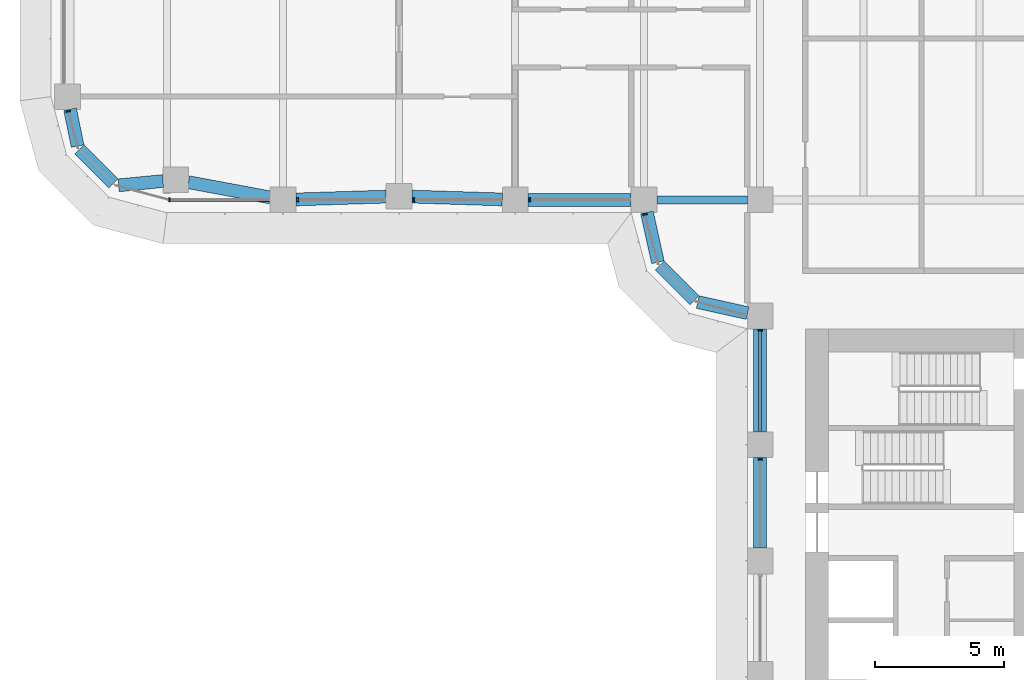
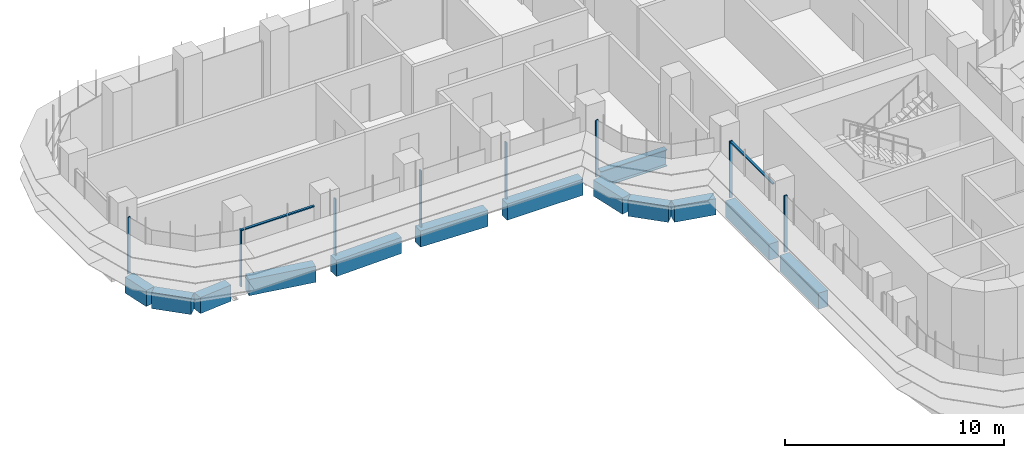
# One storey, part 3 of 23: 13 beams, 10 members, 4 elements without a shape of their own.
"""IFC4 building model written with IfcOpenShell, lengths in metres."""

from ifc_helpers import new_model, si_unit, direction, frame, origin, origin_2d, place, context, subcontext, project, spatial, polyline, rectangle, i_section, outline, extrude, source, transform, mapped, material, material_profile, profile_set, type_object, element, aggregate, save


model = new_model("IFC4")

# Units and contexts
model_context = context("Model", 3, precision=1e-05, world=origin(), true_north=direction((0.0, 1.0)))
body_context = subcontext(model_context, "Body", "Model", "MODEL_VIEW")
ifc_project = project(units=[si_unit("LENGTHUNIT", "METRE"), si_unit("AREAUNIT", "SQUARE_METRE"), si_unit("VOLUMEUNIT", "CUBIC_METRE"), si_unit("PLANEANGLEUNIT", "RADIAN"), si_unit("MASSUNIT", "GRAM", prefix="KILO")], contexts=[model_context])

# Site, building, storey
site_placement = place(None, origin())
site = spatial("IfcSite", under=ifc_project, at=site_placement, CompositionType="ELEMENT")
building_placement = place(site_placement, origin())
building = spatial("IfcBuilding", under=site, at=building_placement, Name="Zarbagh Exchange Tower", CompositionType="ELEMENT")
storey_placement = place(building_placement, frame((0.0, 0.0, 64.800048828125)))
storey = spatial("IfcBuildingStorey", under=building, at=storey_placement, Name="L14", CompositionType="ELEMENT", Elevation=64.800048828125)

# Beams
ifc_material_1 = material(Name="Steel ASTM A992 Gr 50", Category="steel")
ifc_material_profile_1 = material_profile(ifc_material_1, i_section(OverallWidth=0.3046875, OverallDepth=0.91943359375, WebThickness=0.017333984375, FlangeThickness=0.02783203125, at=origin_2d()), Name="W36X170")
ifc_profile_set_1 = profile_set([ifc_material_profile_1], Name="Steel ASTM A992 Gr 50")
beam_type_1 = type_object("IfcBeamType", Name="Floor girder W36X170", PredefinedType="BEAM", material=ifc_profile_set_1)
beam_1_placement = place(storey_placement, frame((-10.25, -6.25, -0.60986328125), z_axis=(1.0, 0.0, 0.0), x_axis=(0.0, 1.0, 0.0)))
element("IfcBeam", 1, at=beam_1_placement, inside=storey, type_object=beam_type_1, Name="Steel girder", PredefinedType="BEAM", context=body_context, shape_type="SweptSolid", body=[
    extrude(i_section(OverallWidth=0.3046875, OverallDepth=0.91943359375, WebThickness=0.017333984375, FlangeThickness=0.02783203125, at=origin_2d()), origin(), (0.0, 0.0, 1.0), 3.5),
])
ifc_material_2 = material(Name="Concrete C60/75", Category="concrete")
ifc_material_profile_2 = material_profile(ifc_material_2, rectangle(XDim=0.5, YDim=0.89990234375, at=origin_2d()), Name="RC spandrel beam 500 x 900 C60/75")
ifc_profile_set_2 = profile_set([ifc_material_profile_2], Name="Concrete C60/75")
beam_type_2 = type_object("IfcBeamType", Name="RC spandrel beam 500 x 900 C60/75", PredefinedType="SPANDREL", material=ifc_profile_set_2)
beam_2_placement = place(storey_placement, frame((-6.25, -19.75, -0.60009765625), z_axis=(0.0, 1.0, 0.0), x_axis=(-1.0, 0.0, 0.0)))
element("IfcBeam", 2, at=beam_2_placement, inside=storey, type_object=beam_type_2, Name="RC spandrel beam", PredefinedType="SPANDREL", context=body_context, shape_type="SweptSolid", body=[
    extrude(rectangle(XDim=0.5, YDim=0.89990234375, at=origin_2d()), origin(), (0.0, 0.0, 1.0), 3.5),
])
beam_3_placement = place(storey_placement, frame((-6.25, -15.25, -0.60009765625), z_axis=(0.0, 1.0, 0.0), x_axis=(-1.0, 0.0, 0.0)))
element("IfcBeam", 3, at=beam_3_placement, inside=storey, type_object=beam_type_2, Name="RC spandrel beam", PredefinedType="SPANDREL", context=body_context, shape_type="SweptSolid", body=[
    extrude(rectangle(XDim=0.5, YDim=0.89990234375, at=origin_2d()), origin(), (0.0, 0.0, 1.0), 4.0),
])
beam_4_placement = place(storey_placement, frame((-6.73828125, -10.64208984375, -0.60009765625), z_axis=(-0.976375426825, 0.216081063242, 0.0), x_axis=(-0.216081063242, -0.976375426825, 0.0)))
element("IfcBeam", 4, at=beam_4_placement, inside=storey, type_object=beam_type_2, Name="RC spandrel beam", PredefinedType="SPANDREL", context=body_context, shape_type="SweptSolid", body=[
    extrude(rectangle(XDim=0.5, YDim=0.89990234375, at=origin_2d()), origin(), (0.0, 0.0, 1.0), 1.978271484375),
])
beam_5_placement = place(storey_placement, frame((-8.792724609375, -10.147216796875, -0.60009765625), z_axis=(-0.707106781187, 0.707106781187, 0.0), x_axis=(-0.707106781187, -0.707106781187, 0.0)))
element("IfcBeam", 5, at=beam_5_placement, inside=storey, type_object=beam_type_2, Name="RC spandrel beam", PredefinedType="SPANDREL", context=body_context, shape_type="SweptSolid", body=[
    extrude(rectangle(XDim=0.5, YDim=0.89990234375, at=origin_2d()), origin(), (0.0, 0.0, 1.0), 1.91552734375),
])
beam_6_placement = place(storey_placement, frame((-10.214599609375, -8.669921875, -0.60009765625), z_axis=(-0.216081063242, 0.976375426825, 0.0), x_axis=(-0.976375426825, -0.216081063242, 0.0)))
element("IfcBeam", 6, at=beam_6_placement, inside=storey, type_object=beam_type_2, Name="RC spandrel beam", PredefinedType="SPANDREL", context=body_context, shape_type="SweptSolid", body=[
    extrude(rectangle(XDim=0.5, YDim=0.89990234375, at=origin_2d()), origin(), (0.0, 0.0, 1.0), 1.978271484375),
])
beam_7_placement = place(storey_placement, frame((-11.25, -6.25, -0.60009765625), z_axis=(-1.0, 0.0, 0.0), x_axis=(0.0, -1.0, 0.0)))
element("IfcBeam", 7, at=beam_7_placement, inside=storey, type_object=beam_type_2, Name="RC spandrel beam", PredefinedType="SPANDREL", context=body_context, shape_type="SweptSolid", body=[
    extrude(rectangle(XDim=0.5, YDim=0.89990234375, at=origin_2d()), origin(), (0.0, 0.0, 1.0), 4.0),
])
for number, where, z_axis, x_axis, name in (
    (8, (-16.249755859375, -6.234619140625, -0.60009765625), (-0.999514385708, 0.031160756759, 0.0), (-0.031160756759, -0.999514385708, 0.0), "RC spandrel beam"),
    (9, (-20.749755859375, -6.12548828125, -0.60009765625), (-0.999514385708, -0.031160756759, 0.0), (0.031160756759, -0.999514385708, 0.0), "RC spandrel beam"),
):
    element("IfcBeam", number, at=place(storey_placement, frame(where, z_axis=z_axis, x_axis=x_axis)), inside=storey, type_object=beam_type_2, Name=name, PredefinedType="SPANDREL", context=body_context, shape_type="SweptSolid", body=[
        extrude(rectangle(XDim=0.5, YDim=0.89990234375, at=origin_2d()), origin(), (0.0, 0.0, 1.0), 3.502197265625),
    ])
beam_8_placement = place(storey_placement, frame((-25.241455078125, -6.158447265625, -0.60009765625), z_axis=(-0.983069300761, 0.183234139565, 0.0), x_axis=(-0.183234139565, -0.983069300761, 0.0)))
element("IfcBeam", 10, at=beam_8_placement, inside=storey, type_object=beam_type_2, Name="RC spandrel beam", PredefinedType="SPANDREL", context=body_context, shape_type="SweptSolid", body=[
    extrude(rectangle(XDim=0.5, YDim=0.89990234375, at=origin_2d()), origin(), (0.0, 0.0, 1.0), 3.229736328125),
])
beam_9_placement = place(storey_placement, frame((-29.40576171875, -5.522705078125, -0.60009765625), z_axis=(-0.995431032456, -0.095483294999, 0.0), x_axis=(0.095483294999, -0.995431032456, 0.0)))
element("IfcBeam", 11, at=beam_9_placement, inside=storey, type_object=beam_type_2, Name="RC spandrel beam", PredefinedType="SPANDREL", context=body_context, shape_type="SweptSolid", body=[
    extrude(rectangle(XDim=0.5, YDim=0.89990234375, at=origin_2d()), origin(), (0.0, 0.0, 1.0), 1.725830078125),
])
beam_10_placement = place(storey_placement, frame((-31.324462890625, -5.615478515625, -0.60009765625), z_axis=(-0.707172099812, 0.707041456527, 0.0), x_axis=(-0.707041456527, -0.707172099812, 0.0)))
element("IfcBeam", 12, at=beam_10_placement, inside=storey, type_object=beam_type_2, Name="RC spandrel beam", PredefinedType="SPANDREL", context=body_context, shape_type="SweptSolid", body=[
    extrude(rectangle(XDim=0.5, YDim=0.89990234375, at=origin_2d()), origin(), (0.0, 0.0, 1.0), 1.86865234375),
])
beam_11_placement = place(storey_placement, frame((-32.714111328125, -4.16796875, -0.60009765625), z_axis=(-0.202068589164, 0.9793713725, 0.0), x_axis=(-0.9793713725, -0.202068589164, 0.0)))
element("IfcBeam", 13, at=beam_11_placement, inside=storey, type_object=beam_type_2, Name="RC spandrel beam", PredefinedType="SPANDREL", context=body_context, shape_type="SweptSolid", body=[
    extrude(rectangle(XDim=0.5, YDim=0.89990234375, at=origin_2d()), origin(), (0.0, 0.0, 1.0), 1.458251953125),
])

# Curtain wall, member
ifc_material_3 = material(Name="Anodised aluminium frame and glazing", Category="aluminium")
curtain_wall_type = type_object("IfcCurtainWallType", Name="CWA Ribbon glazing, lower zones", PredefinedType="NOTDEFINED", material=ifc_material_3)
curtain_wall_1_placement = place(storey_placement, origin())
curtain_wall_1 = element("IfcCurtainWall", 14, at=curtain_wall_1_placement, inside=storey, type_object=curtain_wall_type, Name="CWA37 curtain wall", PredefinedType="NOTDEFINED")
ifc_material_4 = material(Name="Anodised aluminium frame", Category="aluminium")
member_type_1 = type_object("IfcMemberType", Name="MUA Mullion, anodised aluminium frame", PredefinedType="MULLION", material=ifc_material_4)
shared_shape_1 = source(origin(), body_context, "Body", "SweptSolid", [
    extrude(outline(polyline([(0.0, -0.080078125), (0.06005859375, -0.080078125), (0.06005859375, 0.080078125), (0.0, 0.080078125), (0.0, -0.080078125)])), origin(), (0.0, 0.0, 1.0), 3.14990234375),
])
placement = place(storey_placement, origin())
member_1 = element("IfcMember", 15, at=placement, type_object=member_type_1, Name="CWA37 mullion 1.1", PredefinedType="MULLION", context=body_context, shape_type="MappedRepresentation", body=[
    mapped(shared_shape_1, transform((-33.087646484375, -2.7900390625, 0.0), x_axis=(0.258824779902, -0.965924289636, 0.0), y_axis=(0.965924289636, 0.258824779902, 0.0), z_axis=(0.0, 0.0, 1.0))),
])
aggregate(curtain_wall_1, [member_1])

# Curtain wall, members
curtain_wall_2_placement = place(storey_placement, origin())
curtain_wall_2 = element("IfcCurtainWall", 16, at=curtain_wall_2_placement, inside=storey, type_object=curtain_wall_type, Name="CWA40 curtain wall", PredefinedType="NOTDEFINED")
member_2 = element("IfcMember", 17, at=placement, type_object=member_type_1, Name="CWA40 mullion 1.1", PredefinedType="MULLION", context=body_context, shape_type="MappedRepresentation", body=[
    mapped(shared_shape_1, transform((-29.18408203125, -6.25, 0.0), x_axis=(1.0, 0.0, 0.0), y_axis=(0.0, 1.0, 0.0), z_axis=(0.0, 0.0, 1.0))),
])
member_3 = element("IfcMember", 18, at=placement, type_object=member_type_1, Name="CWA40 mullion 2.1", PredefinedType="MULLION", context=body_context, shape_type="MappedRepresentation", body=[
    mapped(shared_shape_1, transform((-24.2099609375, -6.25, 0.0), x_axis=(1.0, 0.0, 0.0), y_axis=(0.0, 1.0, 0.0), z_axis=(0.0, 0.0, 1.0))),
])
member_4 = element("IfcMember", 19, at=placement, type_object=member_type_1, Name="CWA40 mullion 3.1", PredefinedType="MULLION", context=body_context, shape_type="MappedRepresentation", body=[
    mapped(shared_shape_1, transform((-19.7099609375, -6.25, 0.0), x_axis=(1.0, 0.0, 0.0), y_axis=(0.0, 1.0, 0.0), z_axis=(0.0, 0.0, 1.0))),
])
member_5 = element("IfcMember", 20, at=placement, type_object=member_type_1, Name="CWA40 mullion 4.1", PredefinedType="MULLION", context=body_context, shape_type="MappedRepresentation", body=[
    mapped(shared_shape_1, transform((-15.2099609375, -6.25, 0.0), x_axis=(1.0, 0.0, 0.0), y_axis=(0.0, 1.0, 0.0), z_axis=(0.0, 0.0, 1.0))),
])

# Curtain wall, member
curtain_wall_3_placement = place(storey_placement, origin())
curtain_wall_3 = element("IfcCurtainWall", 21, at=curtain_wall_3_placement, inside=storey, type_object=curtain_wall_type, Name="CWA41 curtain wall", PredefinedType="NOTDEFINED")
member_6 = element("IfcMember", 22, at=placement, type_object=member_type_1, Name="CWA41 mullion 1.1", PredefinedType="MULLION", context=body_context, shape_type="MappedRepresentation", body=[
    mapped(shared_shape_1, transform((-10.7216796875, -6.7900390625, 0.0), x_axis=(0.258824779902, -0.965924289636, 0.0), y_axis=(0.965924289636, 0.258824779902, 0.0), z_axis=(0.0, 0.0, 1.0))),
])
aggregate(curtain_wall_3, [member_6])

# Curtain wall, members
curtain_wall_4_placement = place(storey_placement, origin())
curtain_wall_4 = element("IfcCurtainWall", 23, at=curtain_wall_4_placement, inside=storey, type_object=curtain_wall_type, Name="CWA44 curtain wall", PredefinedType="NOTDEFINED")
member_7 = element("IfcMember", 24, at=placement, type_object=member_type_1, Name="CWA44 mullion 1.1", PredefinedType="MULLION", context=body_context, shape_type="MappedRepresentation", body=[
    mapped(shared_shape_1, transform((-6.25, -11.2900390625, 0.0), x_axis=(0.0, -1.0, 0.0), y_axis=(1.0, 0.0, 0.0), z_axis=(0.0, 0.0, 1.0))),
])
member_8 = element("IfcMember", 25, at=placement, type_object=member_type_1, Name="CWA44 mullion 2.1", PredefinedType="MULLION", context=body_context, shape_type="MappedRepresentation", body=[
    mapped(shared_shape_1, transform((-6.25, -16.2900390625, 0.0), x_axis=(0.0, -1.0, 0.0), y_axis=(1.0, 0.0, 0.0), z_axis=(0.0, 0.0, 1.0))),
])
member_type_2 = type_object("IfcMemberType", Name="TRA Transom, anodised aluminium frame", PredefinedType="USERDEFINED", material=ifc_material_4)
shared_shape_2 = source(origin(), body_context, "Body", "SweptSolid", [
    extrude(outline(polyline([(-0.06005859375, -0.06005859375), (0.0, -0.06005859375), (0.0, 0.06005859375), (-0.06005859375, 0.06005859375), (-0.06005859375, -0.06005859375)])), origin(), (0.0, 0.0, 1.0), 3.860107421875),
])
member_9 = element("IfcMember", 26, at=placement, type_object=member_type_2, Name="CWA44 transom 1.1", ObjectType="TRANSOM", PredefinedType="USERDEFINED", context=body_context, shape_type="MappedRepresentation", body=[
    mapped(shared_shape_2, transform((-6.25, -11.35009765625, 3.14990234375), x_axis=(0.0, 0.0, 1.0), y_axis=(-1.0, 0.0, 0.0), z_axis=(0.0, -1.0, 0.0))),
])
aggregate(curtain_wall_4, [member_7, member_9, member_8])

# Member
shared_shape_3 = source(origin(), body_context, "Body", "SweptSolid", [
    extrude(outline(polyline([(-0.06005859375, -0.06005859375), (0.0, -0.06005859375), (0.0, 0.06005859375), (-0.06005859375, 0.06005859375), (-0.06005859375, -0.06005859375)])), origin(), (0.0, 0.0, 1.0), 3.834228515625),
])
member_10 = element("IfcMember", 27, at=placement, type_object=member_type_2, Name="CWA40 transom 1.1", ObjectType="TRANSOM", PredefinedType="USERDEFINED", context=body_context, shape_type="MappedRepresentation", body=[
    mapped(shared_shape_3, transform((-29.124267578125, -6.25, 3.14990234375), x_axis=(0.0, 0.0, 1.0), y_axis=(0.0, -1.0, 0.0), z_axis=(1.0, 0.0, 0.0))),
])

aggregate(curtain_wall_2, [member_2, member_10, member_3, member_4, member_5])

save(model, "model.ifc")
